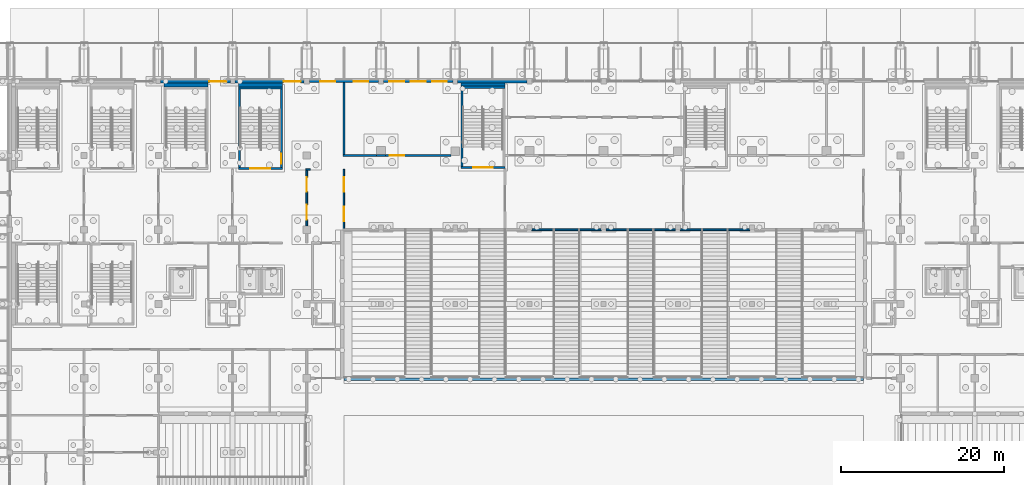
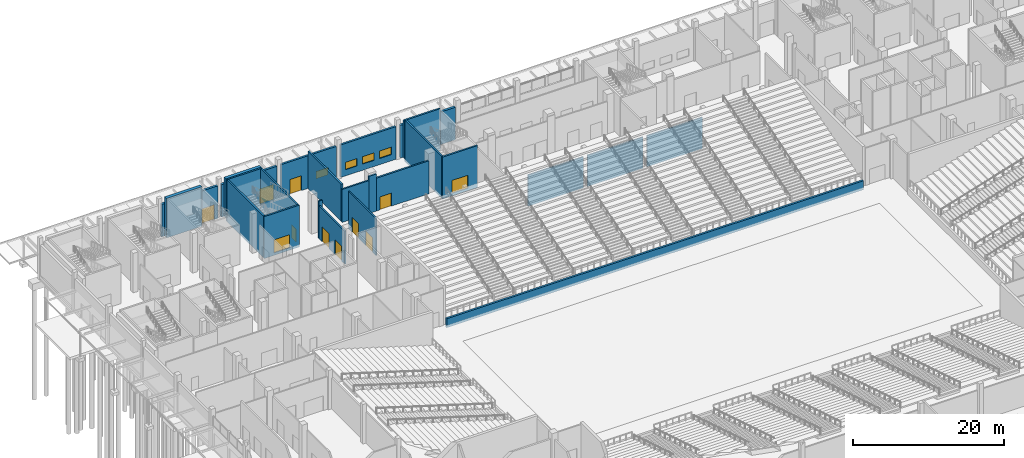
# One storey, part 79 of 129: 26 walls, 11 doors, 4 windows, 15 openings.
"""IFC4 building model written with IfcOpenShell, lengths in metres."""

import ifcopenshell
import ifcopenshell.guid

model = None  # the IFC model being written
_history = None  # IfcOwnerHistory: only IFC2X3 demands one
_inside = {}  # id of a spatial element -> (the spatial element, [elements in it])
_under = {}  # id of a project, library or spatial element -> (it, [spatial elements below it])
_declared = {}  # id of a project -> (the project, [libraries it declares])
_typed = {}  # id of a type object -> (the type object, [elements of that type])
_made_of = {}  # id of a material, layer set ... -> (it, [elements and type objects made of it])


def new_model(schema):
    """Start an empty IFC model of exactly this schema.

    Asked for "IFC4X3", IfcOpenShell would pick the latest addendum, in which some entities
    have other attributes; the version numbers below select the first issue.
    IFC2X3 requires an IfcOwnerHistory on every rooted entity: one is made here for all.
    """
    global model, _history
    if schema == "IFC4X3":
        model = ifcopenshell.file(schema_version=(4, 3, 0, 0))
    else:
        model = ifcopenshell.file(schema=schema)
    _inside.clear()
    _under.clear()
    _declared.clear()
    _typed.clear()
    _made_of.clear()
    _history = None
    if model.schema == "IFC2X3":
        org = make("IfcOrganization", Name="unknown")
        user = make(
            "IfcPersonAndOrganization",
            ThePerson=make("IfcPerson", FamilyName="unknown"),
            TheOrganization=org,
        )
        app = make(
            "IfcApplication",
            ApplicationDeveloper=org,
            Version="unknown",
            ApplicationFullName="unknown",
            ApplicationIdentifier="unknown",
        )
        _history = make(
            "IfcOwnerHistory",
            OwningUser=user,
            OwningApplication=app,
            ChangeAction="ADDED",
            CreationDate=0,
        )
    return model


def make(cls, **values):
    """One entity of the class cls with the attributes given. An attribute that is None is left unset."""
    return model.create_entity(
        cls, **{name: value for name, value in values.items() if value is not None}
    )


def rooted(cls, **values):
    """An entity with a GlobalId (a new one), such as an element, a storey or a relation."""
    return make(cls, GlobalId=ifcopenshell.guid.new(), OwnerHistory=_history, **values)


def si_unit(unit_type, name, prefix=None):
    """IfcSIUnit, for example si_unit("LENGTHUNIT", "METRE", prefix="MILLI")."""
    return make("IfcSIUnit", UnitType=unit_type, Prefix=prefix, Name=name)


def assignment(units):
    """IfcUnitAssignment: the units of a project."""
    return None if units is None else make("IfcUnitAssignment", Units=units)


def point(xyz):
    """IfcCartesianPoint."""
    return None if xyz is None else make("IfcCartesianPoint", Coordinates=xyz)


def direction(xyz):
    """IfcDirection."""
    return None if xyz is None else make("IfcDirection", DirectionRatios=xyz)


def frame(location, z_axis=None, x_axis=None):
    """IfcAxis2Placement3D, a coordinate frame: its origin and axes. An axis left out is left unset."""
    return make(
        "IfcAxis2Placement3D",
        Location=point(location),
        Axis=direction(z_axis),
        RefDirection=direction(x_axis),
    )


def frame_2d(location, x_axis=None):
    """IfcAxis2Placement2D, a coordinate frame in the plane: its origin and x axis."""
    return make(
        "IfcAxis2Placement2D", Location=point(location), RefDirection=direction(x_axis)
    )


def origin():
    """The frame at (0, 0, 0) with its axes left unset."""
    return frame((0.0, 0.0, 0.0))


def place(relative_to, where):
    """IfcLocalPlacement: puts the frame where relative to a parent placement (None: the world)."""
    return make(
        "IfcLocalPlacement", PlacementRelTo=relative_to, RelativePlacement=where
    )


def context(
    kind, dimensions, precision=None, world=None, true_north=None, identifier=None
):
    """IfcGeometricRepresentationContext, for example the 3D "Model" context."""
    return make(
        "IfcGeometricRepresentationContext",
        ContextIdentifier=identifier,
        ContextType=kind,
        CoordinateSpaceDimension=dimensions,
        Precision=precision,
        WorldCoordinateSystem=world,
        TrueNorth=true_north,
    )


def subcontext(parent, identifier, kind, view, scale=None):
    """IfcGeometricRepresentationSubContext, for example "Body" below "Model"."""
    return make(
        "IfcGeometricRepresentationSubContext",
        ContextIdentifier=identifier,
        ContextType=kind,
        ParentContext=parent,
        TargetScale=scale,
        TargetView=view,
    )


def project(units=None, contexts=None):
    """IfcProject with its units and contexts."""
    return rooted(
        "IfcProject",
        Name="project",
        RepresentationContexts=contexts,
        UnitsInContext=assignment(units),
    )


def spatial(cls, under=None, at=None, **own):
    """A site, building, storey or space (cls), placed at a placement, below another one or the project."""
    s = rooted(cls, ObjectPlacement=at, **own)
    if under is not None:
        _under.setdefault(under.id(), (under, []))[1].append(s)
    return s


def profile(cls, at=None, kind="AREA", **sizes):
    """A parametric profile (cls). Its sizes go by their IFC names, for example OverallWidth=200.0."""
    return make(cls, ProfileType=kind, Position=at, **sizes)


def rectangle(**sizes):
    """IfcRectangleProfileDef."""
    return profile("IfcRectangleProfileDef", **sizes)


def extrude(swept, where, along, depth):
    """IfcExtrudedAreaSolid: the profile swept, set in the frame where, extruded along a direction by depth."""
    return make(
        "IfcExtrudedAreaSolid",
        SweptArea=swept,
        Position=where,
        ExtrudedDirection=direction(along),
        Depth=depth,
    )


def shape(context_of_items, identifier, shape_type, items):
    """IfcShapeRepresentation: the items that make up one representation, for example the "Body"."""
    return make(
        "IfcShapeRepresentation",
        ContextOfItems=context_of_items,
        RepresentationIdentifier=identifier,
        RepresentationType=shape_type,
        Items=items,
    )


def material(Name=None, Category=None):
    """IfcMaterial."""
    return make("IfcMaterial", Name=Name, Category=Category)


def layer(
    of_material, thickness, ventilated=None, Name=None, Category=None, Priority=None
):
    """IfcMaterialLayer: one layer of a wall or slab, of a material (None: an air gap)."""
    return make(
        "IfcMaterialLayer",
        Material=of_material,
        LayerThickness=thickness,
        IsVentilated=ventilated,
        Name=Name,
        Category=Category,
        Priority=Priority,
    )


def layer_set(layers, Name=None):
    """IfcMaterialLayerSet."""
    return make("IfcMaterialLayerSet", MaterialLayers=layers, LayerSetName=Name)


def made_of(thing, what):
    """Note that an element or type object is made of a material, layer set ...; save() writes the relation."""
    if what is not None:
        _made_of.setdefault(what.id(), (what, []))[1].append(thing)
    return thing


def type_object(cls, material=None, **own):
    """A type object (cls), such as IfcWallType, which elements share."""
    return made_of(rooted(cls, **own), material)


def element(
    cls,
    number,
    at=None,
    inside=None,
    cuts=None,
    type_object=None,
    material=None,
    context=None,
    identifier="Body",
    shape_type=None,
    held_by="IfcProductDefinitionShape",
    body=None,
    shapes=None,
    **own,
):
    """One element of the class cls, such as IfcWall. Its Tag is "e" and its number.

    at: its placement. inside: the storey or other place that contains it. cuts: it is an
    opening in that element (IfcRelVoidsElement). A single representation is given by context,
    identifier, shape_type and body (its items); several are given by shapes. held_by: the class
    of the entity that holds the representations. save() writes the other relations.
    """
    e = rooted(cls, Tag="e%d" % number, ObjectPlacement=at, **own)
    if body is not None:
        shapes = [shape(context, identifier, shape_type, body)]
    if shapes is not None:
        e.Representation = make(held_by, Representations=shapes)
    if inside is not None:
        _inside.setdefault(inside.id(), (inside, []))[1].append(e)
    if cuts is not None:
        rooted(
            "IfcRelVoidsElement", RelatingBuildingElement=cuts, RelatedOpeningElement=e
        )
    if type_object is not None:
        _typed.setdefault(type_object.id(), (type_object, []))[1].append(e)
    return made_of(e, material)


def fill(opening, filler):
    """IfcRelFillsElement: the door or window that sits in an opening."""
    return rooted(
        "IfcRelFillsElement",
        RelatingOpeningElement=opening,
        RelatedBuildingElement=filler,
    )


def aggregate(whole, parts):
    """IfcRelAggregates: a whole, such as a stair, and the parts it consists of."""
    return rooted("IfcRelAggregates", RelatingObject=whole, RelatedObjects=parts)


def save(model, path):
    """Write the relations noted so far, then the file.

    IfcRelAggregates (storeys below a building ...), IfcRelContainedInSpatialStructure (elements
    in a storey), IfcRelDefinesByType, IfcRelAssociatesMaterial and IfcRelDeclares: one each for
    every whole, place, type object, material and project.
    """
    for whole, parts in _under.values():
        aggregate(whole, parts)
    for where, things in _inside.values():
        rooted(
            "IfcRelContainedInSpatialStructure",
            RelatedElements=things,
            RelatingStructure=where,
        )
    for kind, things in _typed.values():
        rooted("IfcRelDefinesByType", RelatedObjects=things, RelatingType=kind)
    for what, things in _made_of.values():
        rooted("IfcRelAssociatesMaterial", RelatedObjects=things, RelatingMaterial=what)
    for by, libraries in _declared.values():
        rooted("IfcRelDeclares", RelatingContext=by, RelatedDefinitions=libraries)
    model.write(path)


model = new_model("IFC4")

# Units and contexts
model_context = context("Model", 3, precision=1e-05, world=origin(), true_north=direction((0.0, 1.0)))
body_context = subcontext(model_context, "Body", "Model", "MODEL_VIEW")
ifc_project = project(units=[si_unit("LENGTHUNIT", "METRE"), si_unit("AREAUNIT", "SQUARE_METRE"), si_unit("VOLUMEUNIT", "CUBIC_METRE"), si_unit("PLANEANGLEUNIT", "RADIAN"), si_unit("MASSUNIT", "GRAM", prefix="KILO")], contexts=[model_context])

# Site, building, storey
site_placement = place(None, origin())
site = spatial("IfcSite", under=ifc_project, at=site_placement, CompositionType="ELEMENT")
building_placement = place(site_placement, origin())
building = spatial("IfcBuilding", under=site, at=building_placement, Name="Shirokan Park Arena", CompositionType="ELEMENT")
storey_placement = place(building_placement, origin())
storey = spatial("IfcBuildingStorey", under=building, at=storey_placement, Name="L00", CompositionType="ELEMENT", Elevation=0.0)

# Wall, openings, windows
ifc_material_1 = material(Name="Board-formed concrete C40/50", Category="concrete")
ifc_layer_1 = layer(ifc_material_1, 0.1201171875, Name="Board-formed concrete C40/50")
ifc_material_2 = material(Name="Mineral wool insulation")
ifc_layer_2 = layer(ifc_material_2, 0.10009765625, Name="Mineral wool insulation")
ifc_material_3 = material(Name="Concrete C35", Category="concrete")
ifc_layer_3 = layer(ifc_material_3, 0.080078125, Name="Concrete C35")
ifc_layer_set_1 = layer_set([ifc_layer_1, ifc_layer_2, ifc_layer_3], Name="Board-formed concrete C40/50 + Mineral wool insulation + Concrete C35")
wall_type_1 = type_object("IfcWallType", Name="Board-formed concrete base wall 300", PredefinedType="SOLIDWALL", material=ifc_layer_set_1)
wall_1_placement = place(storey_placement, frame((54.300048828125, 109.199951171875, 0.0), z_axis=(0.0, 0.0, 1.0), x_axis=(-1.0, 0.0, 0.0)))
wall_1 = element("IfcWall", 1, at=wall_1_placement, inside=storey, type_object=wall_type_1, Name="North facade wall bay 11 L00", PredefinedType="SOLIDWALL", context=body_context, shape_type="SweptSolid", body=[
    extrude(rectangle(XDim=8.47509765625, YDim=0.300048828125, at=frame_2d((4.237548828125, 0.0))), origin(), (0.0, 0.0, 1.0), 5.27001953125),
])
opening_1_placement = place(wall_1_placement, frame((0.71240234375, 0.0, 1.0)))
opening_1 = element("IfcOpeningElement", 2, at=opening_1_placement, cuts=wall_1, Name="Opening W4", PredefinedType="OPENING", context=body_context, shape_type="SweptSolid", body=[
    extrude(rectangle(XDim=1.800048828125, YDim=1.199951171875, at=frame_2d((0.89990234375, 0.60009765625))), frame((0.0, 0.159912109375, 0.0), z_axis=(0.0, -1.0, 0.0), x_axis=(1.0, 0.0, 0.0)), (0.0, 0.0, 1.0), 0.320068359375),
])
opening_2_placement = place(wall_1_placement, frame((3.33740234375, 0.0, 1.0)))
opening_2 = element("IfcOpeningElement", 3, at=opening_2_placement, cuts=wall_1, Name="Opening W4", PredefinedType="OPENING", context=body_context, shape_type="SweptSolid", body=[
    extrude(rectangle(XDim=1.800048828125, YDim=1.199951171875, at=frame_2d((0.89990234375, 0.60009765625))), frame((0.0, 0.159912109375, 0.0), z_axis=(0.0, -1.0, 0.0), x_axis=(1.0, 0.0, 0.0)), (0.0, 0.0, 1.0), 0.320068359375),
])
opening_3_placement = place(wall_1_placement, frame((5.96240234375, 0.0, 1.0)))
opening_3 = element("IfcOpeningElement", 4, at=opening_3_placement, cuts=wall_1, Name="Opening W4", PredefinedType="OPENING", context=body_context, shape_type="SweptSolid", body=[
    extrude(rectangle(XDim=1.800048828125, YDim=1.199951171875, at=frame_2d((0.89990234375, 0.60009765625))), frame((0.0, 0.159912109375, 0.0), z_axis=(0.0, -1.0, 0.0), x_axis=(1.0, 0.0, 0.0)), (0.0, 0.0, 1.0), 0.320068359375),
])
ifc_material_4 = material(Name="Aluminium frame with laminated glass", Category="aluminium")
window_type = type_object("IfcWindowType", Name="Entrance zone window 1800x1200", PartitioningType="DOUBLE_PANEL_VERTICAL", PredefinedType="WINDOW", material=ifc_material_4)
window_1_placement = place(opening_1_placement, origin())
window_1 = element("IfcWindow", 5, at=window_1_placement, inside=storey, type_object=window_type, Name="Entrance zone window 1800x1200 north bay 11 L00", OverallHeight=1.199951171875, OverallWidth=1.800048828125, PartitioningType="SINGLE_PANEL", PredefinedType="WINDOW", context=body_context, shape_type="SweptSolid", body=[
    extrude(rectangle(XDim=1.800048828125, YDim=1.199951171875, at=frame_2d((0.89990234375, 0.60009765625))), frame((0.0, 0.030029296875, 0.0), z_axis=(0.0, -1.0, 0.0), x_axis=(1.0, 0.0, 0.0)), (0.0, 0.0, 1.0), 0.06005859375),
])
fill(opening_1, window_1)
window_2_placement = place(opening_2_placement, origin())
window_2 = element("IfcWindow", 6, at=window_2_placement, inside=storey, type_object=window_type, Name="Entrance zone window 1800x1200 north bay 11 L00", OverallHeight=1.199951171875, OverallWidth=1.800048828125, PartitioningType="SINGLE_PANEL", PredefinedType="WINDOW", context=body_context, shape_type="SweptSolid", body=[
    extrude(rectangle(XDim=1.800048828125, YDim=1.199951171875, at=frame_2d((0.89990234375, 0.60009765625))), frame((0.0, 0.030029296875, 0.0), z_axis=(0.0, -1.0, 0.0), x_axis=(1.0, 0.0, 0.0)), (0.0, 0.0, 1.0), 0.06005859375),
])
fill(opening_2, window_2)
window_3_placement = place(opening_3_placement, origin())
window_3 = element("IfcWindow", 7, at=window_3_placement, inside=storey, type_object=window_type, Name="Entrance zone window 1800x1200 north bay 11 L00", OverallHeight=1.199951171875, OverallWidth=1.800048828125, PartitioningType="SINGLE_PANEL", PredefinedType="WINDOW", context=body_context, shape_type="SweptSolid", body=[
    extrude(rectangle(XDim=1.800048828125, YDim=1.199951171875, at=frame_2d((0.89990234375, 0.60009765625))), frame((0.0, 0.030029296875, 0.0), z_axis=(0.0, -1.0, 0.0), x_axis=(1.0, 0.0, 0.0)), (0.0, 0.0, 1.0), 0.06005859375),
])
fill(opening_3, window_3)

# Wall, openings, window, door
wall_2_placement = place(storey_placement, frame((45.175048828125, 109.199951171875, 0.0), z_axis=(0.0, 0.0, 1.0), x_axis=(-1.0, 0.0, 0.0)))
wall_2 = element("IfcWall", 8, at=wall_2_placement, inside=storey, type_object=wall_type_1, Name="North facade wall bay 12 L00", PredefinedType="SOLIDWALL", context=body_context, shape_type="SweptSolid", body=[
    extrude(rectangle(XDim=8.425048828125, YDim=0.300048828125, at=frame_2d((4.21240234375, 0.0))), origin(), (0.0, 0.0, 1.0), 5.27001953125),
])
opening_4_placement = place(wall_2_placement, frame((5.300048828125, 0.0, 0.0)))
opening_4 = element("IfcOpeningElement", 9, at=opening_4_placement, cuts=wall_2, Name="Opening G17", PredefinedType="OPENING", context=body_context, shape_type="SweptSolid", body=[
    extrude(rectangle(XDim=1.800048828125, YDim=2.39990234375, at=frame_2d((0.89990234375, 1.199951171875))), frame((0.0, 0.159912109375, 0.0), z_axis=(0.0, -1.0, 0.0), x_axis=(1.0, 0.0, 0.0)), (0.0, 0.0, 1.0), 0.320068359375),
])
opening_5_placement = place(wall_2_placement, frame((1.21240234375, 0.0, 1.0)))
opening_5 = element("IfcOpeningElement", 10, at=opening_5_placement, cuts=wall_2, Name="Opening W4", PredefinedType="OPENING", context=body_context, shape_type="SweptSolid", body=[
    extrude(rectangle(XDim=1.800048828125, YDim=1.199951171875, at=frame_2d((0.89990234375, 0.60009765625))), frame((0.0, 0.159912109375, 0.0), z_axis=(0.0, -1.0, 0.0), x_axis=(1.0, 0.0, 0.0)), (0.0, 0.0, 1.0), 0.320068359375),
])
window_4_placement = place(opening_5_placement, origin())
window_4 = element("IfcWindow", 11, at=window_4_placement, inside=storey, type_object=window_type, Name="Entrance zone window 1800x1200 north bay 12 L00", OverallHeight=1.199951171875, OverallWidth=1.800048828125, PartitioningType="SINGLE_PANEL", PredefinedType="WINDOW", context=body_context, shape_type="SweptSolid", body=[
    extrude(rectangle(XDim=1.800048828125, YDim=1.199951171875, at=frame_2d((0.89990234375, 0.60009765625))), frame((0.0, 0.030029296875, 0.0), z_axis=(0.0, -1.0, 0.0), x_axis=(1.0, 0.0, 0.0)), (0.0, 0.0, 1.0), 0.06005859375),
])
fill(opening_5, window_4)
ifc_material_5 = material(Name="Steel and glass door", Category="steel")
door_type_1 = type_object("IfcDoorType", Name="Exit door pair 1800x2400", OperationType="DOUBLE_DOOR_SINGLE_SWING", PredefinedType="DOOR", material=ifc_material_5)
door_1_placement = place(opening_4_placement, frame((1.800048828125, 0.0, 0.0), z_axis=(0.0, 0.0, 1.0), x_axis=(-1.0, 0.0, 0.0)))
door_1 = element("IfcDoor", 12, at=door_1_placement, inside=storey, type_object=door_type_1, Name="Pedestrian exit gate G17", OperationType="DOUBLE_DOOR_SINGLE_SWING", OverallHeight=2.39990234375, OverallWidth=1.800048828125, PredefinedType="DOOR", context=body_context, shape_type="SweptSolid", body=[
    extrude(rectangle(XDim=1.800048828125, YDim=2.39990234375, at=frame_2d((0.89990234375, 1.199951171875))), frame((0.0, 0.02490234375, 0.0), z_axis=(0.0, -1.0, 0.0), x_axis=(1.0, 0.0, 0.0)), (0.0, 0.0, 1.0), 0.050048828125),
])
fill(opening_4, door_1)

# Walls
ifc_material_6 = material(Name="Plaster")
ifc_layer_4 = layer(ifc_material_6, 0.014892578125, Name="Plaster")
ifc_material_7 = material(Name="Concrete blockwork", Category="masonry")
ifc_layer_5 = layer(ifc_material_7, 0.219970703125, Name="Concrete blockwork 220")
ifc_layer_6 = layer(ifc_material_6, 0.014892578125, Name="Plaster")
ifc_layer_set_2 = layer_set([ifc_layer_4, ifc_layer_5, ifc_layer_6], Name="Plaster + Concrete blockwork 220")
wall_type_2 = type_object("IfcWallType", Name="Compartment wall 250", PredefinedType="SOLIDWALL", material=ifc_layer_set_2)
wall_3_placement = place(storey_placement, frame((40.824951171875, 100.10009765625, 0.0), z_axis=(0.0, 0.0, 1.0), x_axis=(1.0, 0.0, 0.0)))
element("IfcWall", 13, at=wall_3_placement, inside=storey, type_object=wall_type_2, Name="Compartment wall 250 L00", PredefinedType="SOLIDWALL", context=body_context, shape_type="SweptSolid", body=[
    extrude(rectangle(XDim=4.125, YDim=0.25, at=frame_2d((2.0625, 0.0))), origin(), (0.0, 0.0, 1.0), 5.320068359375),
])
wall_4_placement = place(storey_placement, frame((40.949951171875, 109.050048828125, 0.0), z_axis=(0.0, 0.0, 1.0), x_axis=(0.0, -1.0, 0.0)))
element("IfcWall", 14, at=wall_4_placement, inside=storey, type_object=wall_type_2, Name="Compartment wall 250 L00", PredefinedType="SOLIDWALL", context=body_context, shape_type="SweptSolid", body=[
    extrude(rectangle(XDim=8.824951171875, YDim=0.25, at=frame_2d((4.41259765625, 0.0))), origin(), (0.0, 0.0, 1.0), 6.02001953125),
])
wall_5_placement = place(storey_placement, frame((44.949951171875, 100.10009765625, 0.0), z_axis=(0.0, 0.0, 1.0), x_axis=(1.0, 0.0, 0.0)))
element("IfcWall", 15, at=wall_5_placement, inside=storey, type_object=wall_type_2, Name="Compartment wall 250 L00", PredefinedType="SOLIDWALL", context=body_context, shape_type="SweptSolid", body=[
    extrude(rectangle(XDim=1.10009765625, YDim=0.25, at=frame_2d((0.550048828125, 0.0))), origin(), (0.0, 0.0, 1.0), 6.02001953125),
])

# Wall, opening, door
wall_6_placement = place(storey_placement, frame((46.050048828125, 100.10009765625, 0.0), z_axis=(0.0, 0.0, 1.0), x_axis=(1.0, 0.0, 0.0)))
wall_6 = element("IfcWall", 16, at=wall_6_placement, inside=storey, type_object=wall_type_2, Name="Compartment wall 250 L00", PredefinedType="SOLIDWALL", context=body_context, shape_type="SweptSolid", body=[
    extrude(rectangle(XDim=8.02490234375, YDim=0.25, at=frame_2d((4.012451171875, 0.0))), origin(), (0.0, 0.0, 1.0), 5.320068359375),
])
opening_6_placement = place(wall_6_placement, frame((0.52490234375, 0.0, 0.0)))
opening_6 = element("IfcOpeningElement", 17, at=opening_6_placement, cuts=wall_6, Name="Opening D-0029", PredefinedType="OPENING", context=body_context, shape_type="SweptSolid", body=[
    extrude(rectangle(XDim=1.800048828125, YDim=2.10009765625, at=frame_2d((0.89990234375, 1.050048828125))), frame((0.0, 0.135009765625, 0.0), z_axis=(0.0, -1.0, 0.0), x_axis=(1.0, 0.0, 0.0)), (0.0, 0.0, 1.0), 0.27001953125),
])
ifc_material_8 = material(Name="Timber door set, fire resisting", Category="wood")
door_type_2 = type_object("IfcDoorType", Name="Double door 1800 x 2100", OperationType="DOUBLE_DOOR_SINGLE_SWING", PredefinedType="DOOR", material=ifc_material_8)
door_2_placement = place(opening_6_placement, origin())
door_2 = element("IfcDoor", 18, at=door_2_placement, inside=storey, type_object=door_type_2, Name="Door to Fire Command Room 0.31 D-0029", OperationType="DOUBLE_DOOR_SINGLE_SWING", OverallHeight=2.10009765625, OverallWidth=1.800048828125, PredefinedType="DOOR", context=body_context, shape_type="SweptSolid", body=[
    extrude(rectangle(XDim=1.800048828125, YDim=2.10009765625, at=frame_2d((0.89990234375, 1.050048828125))), frame((0.0, 0.02490234375, 0.0), z_axis=(0.0, -1.0, 0.0), x_axis=(1.0, 0.0, 0.0)), (0.0, 0.0, 1.0), 0.050048828125),
])
fill(opening_6, door_2)

# Wall, openings, doors
ifc_material_9 = material(Name="Gypsum board")
ifc_layer_7 = layer(ifc_material_9, 0.02490234375, Name="Gypsum board, two layers")
ifc_layer_8 = layer(ifc_material_2, 0.14990234375, Name="Mineral wool insulation")
ifc_layer_9 = layer(ifc_material_9, 0.02490234375, Name="Gypsum board, two layers")
ifc_layer_set_3 = layer_set([ifc_layer_7, ifc_layer_8, ifc_layer_9], Name="Gypsum board, two layers + Mineral wool insulation")
wall_type_3 = type_object("IfcWallType", Name="Corridor wall 200", PredefinedType="PARTITIONING", material=ifc_layer_set_3)
wall_7_placement = place(storey_placement, frame((36.39990234375, 98.300048828125, 0.0), z_axis=(0.0, 0.0, 1.0), x_axis=(0.0, -1.0, 0.0)))
wall_7 = element("IfcWall", 19, at=wall_7_placement, inside=storey, type_object=wall_type_3, Name="Corridor wall 200 L00", PredefinedType="PARTITIONING", context=body_context, shape_type="SweptSolid", body=[
    extrude(rectangle(XDim=6.824951171875, YDim=0.199951171875, at=frame_2d((3.41259765625, 0.0))), origin(), (0.0, 0.0, 1.0), 5.320068359375),
])
opening_7_placement = place(wall_7_placement, frame((0.85009765625, 0.0, 0.0)))
opening_7 = element("IfcOpeningElement", 20, at=opening_7_placement, cuts=wall_7, Name="Opening D-0098", PredefinedType="OPENING", context=body_context, shape_type="SweptSolid", body=[
    extrude(rectangle(XDim=1.800048828125, YDim=2.39990234375, at=frame_2d((0.89990234375, 1.199951171875))), frame((0.0, 0.10986328125, 0.0), z_axis=(0.0, -1.0, 0.0), x_axis=(1.0, 0.0, 0.0)), (0.0, 0.0, 1.0), 0.219970703125),
])
opening_8_placement = place(wall_7_placement, frame((4.25, 0.0, 0.0)))
opening_8 = element("IfcOpeningElement", 21, at=opening_8_placement, cuts=wall_7, Name="Opening D-0099", PredefinedType="OPENING", context=body_context, shape_type="SweptSolid", body=[
    extrude(rectangle(XDim=1.800048828125, YDim=2.39990234375, at=frame_2d((0.89990234375, 1.199951171875))), frame((0.0, 0.10986328125, 0.0), z_axis=(0.0, -1.0, 0.0), x_axis=(1.0, 0.0, 0.0)), (0.0, 0.0, 1.0), 0.219970703125),
])
ifc_material_10 = material(Name="Glazed steel door set, fire resisting", Category="steel")
door_type_3 = type_object("IfcDoorType", Name="Lift lobby door 1800 x 2400", OperationType="DOUBLE_DOOR_SINGLE_SWING", PredefinedType="DOOR", material=ifc_material_10)
door_3_placement = place(opening_7_placement, origin())
door_3 = element("IfcDoor", 22, at=door_3_placement, inside=storey, type_object=door_type_3, Name="Door between Players Lounge 4.0.4 and Staff Lobby 4.0.5 D-0098", OperationType="DOUBLE_DOOR_SINGLE_SWING", OverallHeight=2.39990234375, OverallWidth=1.800048828125, PredefinedType="DOOR", context=body_context, shape_type="SweptSolid", body=[
    extrude(rectangle(XDim=1.800048828125, YDim=2.39990234375, at=frame_2d((0.89990234375, 1.199951171875))), frame((0.0, 0.02490234375, 0.0), z_axis=(0.0, -1.0, 0.0), x_axis=(1.0, 0.0, 0.0)), (0.0, 0.0, 1.0), 0.050048828125),
])
fill(opening_7, door_3)
door_4_placement = place(opening_8_placement, origin())
door_4 = element("IfcDoor", 23, at=door_4_placement, inside=storey, type_object=door_type_3, Name="Door between Players Lounge 4.0.4 and Staff Lobby 4.0.5 D-0099", OperationType="DOUBLE_DOOR_SINGLE_SWING", OverallHeight=2.39990234375, OverallWidth=1.800048828125, PredefinedType="DOOR", context=body_context, shape_type="SweptSolid", body=[
    extrude(rectangle(XDim=1.800048828125, YDim=2.39990234375, at=frame_2d((0.89990234375, 1.199951171875))), frame((0.0, 0.02490234375, 0.0), z_axis=(0.0, -1.0, 0.0), x_axis=(1.0, 0.0, 0.0)), (0.0, 0.0, 1.0), 0.050048828125),
])
fill(opening_8, door_4)

# Wall
wall_8_placement = place(storey_placement, frame((36.85009765625, 98.39990234375, 0.0), z_axis=(0.0, 0.0, 1.0), x_axis=(-1.0, 0.0, 0.0)))
element("IfcWall", 24, at=wall_8_placement, inside=storey, type_object=wall_type_3, Name="Corridor wall 200 L00", PredefinedType="PARTITIONING", context=body_context, shape_type="SweptSolid", body=[
    extrude(rectangle(XDim=0.550048828125, YDim=0.199951171875, at=frame_2d((0.27490234375, 0.0))), origin(), (0.0, 0.0, 1.0), 6.02001953125),
])

# Wall, openings, doors
wall_9_placement = place(storey_placement, frame((40.949951171875, 98.39990234375, 0.0), z_axis=(0.0, 0.0, 1.0), x_axis=(0.0, -1.0, 0.0)))
wall_9 = element("IfcWall", 25, at=wall_9_placement, inside=storey, type_object=wall_type_3, Name="Corridor wall 200 L00", PredefinedType="PARTITIONING", context=body_context, shape_type="SweptSolid", body=[
    extrude(rectangle(XDim=7.2998046875, YDim=0.199951171875, at=frame_2d((3.64990234375, 0.0))), origin(), (0.0, 0.0, 1.0), 6.02001953125),
])
opening_9_placement = place(wall_9_placement, frame((0.949951171875, 0.0, 0.0)))
opening_9 = element("IfcOpeningElement", 26, at=opening_9_placement, cuts=wall_9, Name="Opening D-0101", PredefinedType="OPENING", context=body_context, shape_type="SweptSolid", body=[
    extrude(rectangle(XDim=1.800048828125, YDim=2.39990234375, at=frame_2d((0.89990234375, 1.199951171875))), frame((0.0, 0.10986328125, 0.0), z_axis=(0.0, -1.0, 0.0), x_axis=(1.0, 0.0, 0.0)), (0.0, 0.0, 1.0), 0.219970703125),
])
opening_10_placement = place(wall_9_placement, frame((4.550048828125, 0.0, 0.0)))
opening_10 = element("IfcOpeningElement", 27, at=opening_10_placement, cuts=wall_9, Name="Opening D-0102", PredefinedType="OPENING", context=body_context, shape_type="SweptSolid", body=[
    extrude(rectangle(XDim=1.800048828125, YDim=2.39990234375, at=frame_2d((0.89990234375, 1.199951171875))), frame((0.0, 0.10986328125, 0.0), z_axis=(0.0, -1.0, 0.0), x_axis=(1.0, 0.0, 0.0)), (0.0, 0.0, 1.0), 0.219970703125),
])
door_5_placement = place(opening_9_placement, origin())
door_5 = element("IfcDoor", 28, at=door_5_placement, inside=storey, type_object=door_type_3, Name="Door between Staff Lobby 4.0.5 and Ticket Hall E4 D-0101", OperationType="DOUBLE_DOOR_SINGLE_SWING", OverallHeight=2.39990234375, OverallWidth=1.800048828125, PredefinedType="DOOR", context=body_context, shape_type="SweptSolid", body=[
    extrude(rectangle(XDim=1.800048828125, YDim=2.39990234375, at=frame_2d((0.89990234375, 1.199951171875))), frame((0.0, 0.02490234375, 0.0), z_axis=(0.0, -1.0, 0.0), x_axis=(1.0, 0.0, 0.0)), (0.0, 0.0, 1.0), 0.050048828125),
])
fill(opening_9, door_5)
door_6_placement = place(opening_10_placement, origin())
door_6 = element("IfcDoor", 29, at=door_6_placement, inside=storey, type_object=door_type_3, Name="Door between Staff Lobby 4.0.5 and Ticket Hall E4 D-0102", OperationType="DOUBLE_DOOR_SINGLE_SWING", OverallHeight=2.39990234375, OverallWidth=1.800048828125, PredefinedType="DOOR", context=body_context, shape_type="SweptSolid", body=[
    extrude(rectangle(XDim=1.800048828125, YDim=2.39990234375, at=frame_2d((0.89990234375, 1.199951171875))), frame((0.0, 0.02490234375, 0.0), z_axis=(0.0, -1.0, 0.0), x_axis=(1.0, 0.0, 0.0)), (0.0, 0.0, 1.0), 0.050048828125),
])
fill(opening_10, door_6)

# Walls
for number, where, z_axis, x_axis, name in (
    (30, (72.5, 91.0, 0.0), (0.0, 0.0, 1.0), (-1.0, 0.0, 0.0), "Corridor wall 200 L00"),
    (31, (81.60009765625, 91.0, 0.0), (0.0, 0.0, 1.0), (-1.0, 0.0, 0.0), "Corridor wall 200 L00"),
    (32, (82.199951171875, 91.0, 0.0), (0.0, 0.0, 1.0), (1.0, 0.0, 0.0), "Corridor wall 200 L00"),
):
    element("IfcWall", number, at=place(storey_placement, frame(where, z_axis=z_axis, x_axis=x_axis)), inside=storey, type_object=wall_type_3, Name=name, PredefinedType="PARTITIONING", context=body_context, shape_type="SweptSolid", body=[
        extrude(rectangle(XDim=8.5, YDim=0.199951171875, at=frame_2d((4.25, 0.0))), origin(), (0.0, 0.0, 1.0), 5.02001953125),
    ])
ifc_material_11 = material(Name="Cedar cladding")
ifc_layer_10 = layer(ifc_material_11, 0.030029296875, Name="Cedar cladding")
ifc_layer_11 = layer(ifc_material_2, 0.10009765625, Name="Mineral wool insulation")
ifc_layer_12 = layer(ifc_material_3, 0.199951171875, Name="Concrete C35")
ifc_material_12 = material(Name="Gypsum board lining")
ifc_layer_13 = layer(ifc_material_12, 0.02001953125, Name="Gypsum board lining")
ifc_layer_set_4 = layer_set([ifc_layer_10, ifc_layer_11, ifc_layer_12, ifc_layer_13], Name="Cedar cladding + Mineral wool insulation + Concrete C35 + Gypsum board lining")
wall_type_4 = type_object("IfcWallType", Name="Insulated tower wall 350", PredefinedType="SOLIDWALL", material=ifc_layer_set_4)
wall_10_placement = place(storey_placement, frame((63.375, 109.175048828125, 0.0), z_axis=(0.0, 0.0, 1.0), x_axis=(-1.0, 0.0, 0.0)))
element("IfcWall", 33, at=wall_10_placement, inside=storey, type_object=wall_type_4, Name="North facade wall bay 10 L00", PredefinedType="SOLIDWALL", context=body_context, shape_type="SweptSolid", body=[
    extrude(rectangle(XDim=8.47509765625, YDim=0.35009765625, at=frame_2d((4.237548828125, 0.0))), origin(), (0.0, 0.0, 1.0), 5.27001953125),
])

# Wall, opening, door
wall_11_placement = place(storey_placement, frame((36.050048828125, 109.175048828125, 0.0), z_axis=(0.0, 0.0, 1.0), x_axis=(-1.0, 0.0, 0.0)))
wall_11 = element("IfcWall", 34, at=wall_11_placement, inside=storey, type_object=wall_type_4, Name="North facade wall bay 13 L00", PredefinedType="SOLIDWALL", context=body_context, shape_type="SweptSolid", body=[
    extrude(rectangle(XDim=8.47509765625, YDim=0.35009765625, at=frame_2d((4.237548828125, 0.0))), origin(), (0.0, 0.0, 1.0), 5.27001953125),
])
opening_11_placement = place(wall_11_placement, frame((0.39990234375, 0.0, 0.0)))
opening_11 = element("IfcOpeningElement", 35, at=opening_11_placement, cuts=wall_11, Name="Opening G16", PredefinedType="OPENING", context=body_context, shape_type="SweptSolid", body=[
    extrude(rectangle(XDim=2.10009765625, YDim=2.39990234375, at=frame_2d((1.050048828125, 1.199951171875))), frame((0.0, 0.18505859375, 0.0), z_axis=(0.0, -1.0, 0.0), x_axis=(1.0, 0.0, 0.0)), (0.0, 0.0, 1.0), 0.3701171875),
])
door_type_4 = type_object("IfcDoorType", Name="Exit door pair 2100x2400", OperationType="DOUBLE_DOOR_SINGLE_SWING", PredefinedType="DOOR", material=ifc_material_5)
door_7_placement = place(opening_11_placement, frame((2.10009765625, 0.0, 0.0), z_axis=(0.0, 0.0, 1.0), x_axis=(-1.0, 0.0, 0.0)))
door_7 = element("IfcDoor", 36, at=door_7_placement, inside=storey, type_object=door_type_4, Name="Pedestrian exit gate G16", OperationType="DOUBLE_DOOR_SINGLE_SWING", OverallHeight=2.39990234375, OverallWidth=2.10009765625, PredefinedType="DOOR", context=body_context, shape_type="SweptSolid", body=[
    extrude(rectangle(XDim=2.10009765625, YDim=2.39990234375, at=frame_2d((1.050048828125, 1.199951171875))), frame((0.0, 0.02490234375, 0.0), z_axis=(0.0, -1.0, 0.0), x_axis=(1.0, 0.0, 0.0)), (0.0, 0.0, 1.0), 0.050048828125),
])
fill(opening_11, door_7)

wall_12_placement = place(storey_placement, frame((27.02490234375, 109.175048828125, 0.0), z_axis=(0.0, 0.0, 1.0), x_axis=(-1.0, 0.0, 0.0)))
wall_12 = element("IfcWall", 37, at=wall_12_placement, inside=storey, type_object=wall_type_4, Name="North facade wall bay 14 L00", PredefinedType="SOLIDWALL", context=body_context, shape_type="SweptSolid", body=[
    extrude(rectangle(XDim=8.5498046875, YDim=0.35009765625, at=frame_2d((4.27490234375, 0.0))), origin(), (0.0, 0.0, 1.0), 5.27001953125),
])
opening_12_placement = place(wall_12_placement, frame((0.47509765625, 0.0, 0.0)))
opening_12 = element("IfcOpeningElement", 38, at=opening_12_placement, cuts=wall_12, Name="Opening G15", PredefinedType="OPENING", context=body_context, shape_type="SweptSolid", body=[
    extrude(rectangle(XDim=2.10009765625, YDim=2.39990234375, at=frame_2d((1.050048828125, 1.199951171875))), frame((0.0, 0.18505859375, 0.0), z_axis=(0.0, -1.0, 0.0), x_axis=(1.0, 0.0, 0.0)), (0.0, 0.0, 1.0), 0.3701171875),
])
door_8_placement = place(opening_12_placement, frame((2.10009765625, 0.0, 0.0), z_axis=(0.0, 0.0, 1.0), x_axis=(-1.0, 0.0, 0.0)))
door_8 = element("IfcDoor", 39, at=door_8_placement, inside=storey, type_object=door_type_4, Name="Pedestrian exit gate G15", OperationType="DOUBLE_DOOR_SINGLE_SWING", OverallHeight=2.39990234375, OverallWidth=2.10009765625, PredefinedType="DOOR", context=body_context, shape_type="SweptSolid", body=[
    extrude(rectangle(XDim=2.10009765625, YDim=2.39990234375, at=frame_2d((1.050048828125, 1.199951171875))), frame((0.0, 0.02490234375, 0.0), z_axis=(0.0, -1.0, 0.0), x_axis=(1.0, 0.0, 0.0)), (0.0, 0.0, 1.0), 0.050048828125),
])
fill(opening_12, door_8)

# Wall
ifc_layer_14 = layer(ifc_material_3, 0.300048828125)
ifc_layer_set_5 = layer_set([ifc_layer_14], Name="Concrete C35 300 mm")
wall_type_5 = type_object("IfcWallType", Name="RC front wall 300", PredefinedType="SOLIDWALL", material=ifc_layer_set_5)
wall_13_placement = place(storey_placement, frame((40.949951171875, 72.64990234375, -0.39990234375), z_axis=(0.0, 0.0, 1.0), x_axis=(1.0, 0.0, 0.0)))
element("IfcWall", 40, at=wall_13_placement, inside=storey, type_object=wall_type_5, Name="Front wall N", PredefinedType="SOLIDWALL", context=body_context, shape_type="SweptSolid", body=[
    extrude(rectangle(XDim=63.699951171875, YDim=0.300048828125, at=frame_2d((31.85009765625, 0.0))), origin(), (0.0, 0.0, 1.0), 1.449951171875),
])

# Wall, opening, door
ifc_material_13 = material(Name="Concrete C40/50", Category="concrete")
ifc_layer_15 = layer(ifc_material_13, 0.25)
ifc_layer_set_6 = layer_set([ifc_layer_15], Name="Concrete C40/50 250 mm")
wall_type_6 = type_object("IfcWallType", Name="RC shear wall 250", PredefinedType="SHEAR", material=ifc_layer_set_6)
wall_14_placement = place(storey_placement, frame((33.39990234375, 98.52490234375, -0.39990234375), z_axis=(0.0, 0.0, 1.0), x_axis=(-1.0, 0.0, 0.0)))
wall_14 = element("IfcWall", 41, at=wall_14_placement, inside=storey, type_object=wall_type_6, Name="Shaft wall Exit Stair 4.D S L00", PredefinedType="SHEAR", context=body_context, shape_type="SweptSolid", body=[
    extrude(rectangle(XDim=5.39990234375, YDim=0.25, at=frame_2d((2.699951171875, 0.0))), origin(), (0.0, 0.0, 1.0), 6.77001953125),
])
opening_13_placement = place(wall_14_placement, frame((1.5, 0.0, 0.39990234375)))
opening_13 = element("IfcOpeningElement", 42, at=opening_13_placement, cuts=wall_14, Name="Opening D-0185", PredefinedType="OPENING", context=body_context, shape_type="SweptSolid", body=[
    extrude(rectangle(XDim=2.39990234375, YDim=2.10009765625, at=frame_2d((1.199951171875, 1.050048828125))), frame((0.0, 0.135009765625, 0.0), z_axis=(0.0, -1.0, 0.0), x_axis=(1.0, 0.0, 0.0)), (0.0, 0.0, 1.0), 0.27001953125),
])
ifc_material_14 = material(Name="Steel door set, fire resisting", Category="steel")
door_type_5 = type_object("IfcDoorType", Name="Stair door 2400 x 2100", OperationType="DOUBLE_DOOR_SINGLE_SWING", PredefinedType="DOOR", material=ifc_material_14)
door_9_placement = place(opening_13_placement, origin())
door_9 = element("IfcDoor", 43, at=door_9_placement, inside=storey, type_object=door_type_5, Name="Stair door Exit Stair 4.D D-0185", OperationType="DOUBLE_DOOR_SINGLE_SWING", OverallHeight=2.10009765625, OverallWidth=2.39990234375, PredefinedType="DOOR", context=body_context, shape_type="SweptSolid", body=[
    extrude(rectangle(XDim=2.39990234375, YDim=2.10009765625, at=frame_2d((1.199951171875, 1.050048828125))), frame((0.0, 0.02490234375, 0.0), z_axis=(0.0, -1.0, 0.0), x_axis=(1.0, 0.0, 0.0)), (0.0, 0.0, 1.0), 0.050048828125),
])
fill(opening_13, door_9)

# Walls
wall_15_placement = place(storey_placement, frame((33.39990234375, 108.375, -0.39990234375), z_axis=(0.0, 0.0, 1.0), x_axis=(-1.0, 0.0, 0.0)))
element("IfcWall", 44, at=wall_15_placement, inside=storey, type_object=wall_type_6, Name="Shaft wall Exit Stair 4.D N L00", PredefinedType="SHEAR", context=body_context, shape_type="SweptSolid", body=[
    extrude(rectangle(XDim=5.39990234375, YDim=0.25, at=frame_2d((2.699951171875, 0.0))), origin(), (0.0, 0.0, 1.0), 6.77001953125),
])
wall_16_placement = place(storey_placement, frame((28.125, 108.25, -0.39990234375), z_axis=(0.0, 0.0, 1.0), x_axis=(0.0, -1.0, 0.0)))
element("IfcWall", 45, at=wall_16_placement, inside=storey, type_object=wall_type_6, Name="Shaft wall Exit Stair 4.D W L00", PredefinedType="SHEAR", context=body_context, shape_type="SweptSolid", body=[
    extrude(rectangle(XDim=9.60009765625, YDim=0.25, at=frame_2d((4.800048828125, 0.0))), origin(), (0.0, 0.0, 1.0), 6.77001953125),
])

# Wall, opening, door
wall_17_placement = place(storey_placement, frame((33.27490234375, 108.25, -0.39990234375), z_axis=(0.0, 0.0, 1.0), x_axis=(0.0, -1.0, 0.0)))
wall_17 = element("IfcWall", 46, at=wall_17_placement, inside=storey, type_object=wall_type_6, Name="Shaft wall Exit Stair 4.D E L00", PredefinedType="SHEAR", context=body_context, shape_type="SweptSolid", body=[
    extrude(rectangle(XDim=9.60009765625, YDim=0.25, at=frame_2d((4.800048828125, 0.0))), origin(), (0.0, 0.0, 1.0), 6.77001953125),
])
opening_14_placement = place(wall_17_placement, frame((7.949951171875, 0.0, 0.39990234375)))
opening_14 = element("IfcOpeningElement", 47, at=opening_14_placement, cuts=wall_17, Name="Opening D-0208", PredefinedType="OPENING", context=body_context, shape_type="SweptSolid", body=[
    extrude(rectangle(XDim=1.199951171875, YDim=2.10009765625, at=frame_2d((0.60009765625, 1.050048828125))), frame((0.0, 0.135009765625, 0.0), z_axis=(0.0, -1.0, 0.0), x_axis=(1.0, 0.0, 0.0)), (0.0, 0.0, 1.0), 0.27001953125),
])
door_type_6 = type_object("IfcDoorType", Name="Stair exit door 1200 x 2100", OperationType="SINGLE_SWING_LEFT", PredefinedType="DOOR", material=ifc_material_14)
door_10_placement = place(opening_14_placement, origin())
door_10 = element("IfcDoor", 48, at=door_10_placement, inside=storey, type_object=door_type_6, Name="Stair exit door Exit Stair 4.D D-0208", OperationType="SINGLE_SWING_LEFT", OverallHeight=2.10009765625, OverallWidth=1.199951171875, PredefinedType="DOOR", context=body_context, shape_type="SweptSolid", body=[
    extrude(rectangle(XDim=1.199951171875, YDim=2.10009765625, at=frame_2d((0.60009765625, 1.050048828125))), frame((0.0, 0.02490234375, 0.0), z_axis=(0.0, -1.0, 0.0), x_axis=(1.0, 0.0, 0.0)), (0.0, 0.0, 1.0), 0.050048828125),
])
fill(opening_14, door_10)

wall_18_placement = place(storey_placement, frame((60.699951171875, 98.625, -0.39990234375), z_axis=(0.0, 0.0, 1.0), x_axis=(-1.0, 0.0, 0.0)))
wall_18 = element("IfcWall", 49, at=wall_18_placement, inside=storey, type_object=wall_type_6, Name="Shaft wall Entrance Stair E4.1 S L00", PredefinedType="SHEAR", context=body_context, shape_type="SweptSolid", body=[
    extrude(rectangle(XDim=5.39990234375, YDim=0.25, at=frame_2d((2.699951171875, 0.0))), origin(), (0.0, 0.0, 1.0), 6.77001953125),
])
opening_15_placement = place(wall_18_placement, frame((1.5, 0.0, 0.39990234375)))
opening_15 = element("IfcOpeningElement", 50, at=opening_15_placement, cuts=wall_18, Name="Opening D-0194", PredefinedType="OPENING", context=body_context, shape_type="SweptSolid", body=[
    extrude(rectangle(XDim=2.39990234375, YDim=2.10009765625, at=frame_2d((1.199951171875, 1.050048828125))), frame((0.0, 0.135009765625, 0.0), z_axis=(0.0, -1.0, 0.0), x_axis=(1.0, 0.0, 0.0)), (0.0, 0.0, 1.0), 0.27001953125),
])
door_11_placement = place(opening_15_placement, origin())
door_11 = element("IfcDoor", 51, at=door_11_placement, inside=storey, type_object=door_type_5, Name="Stair door Entrance Stair E4.1 D-0194", OperationType="DOUBLE_DOOR_SINGLE_SWING", OverallHeight=2.10009765625, OverallWidth=2.39990234375, PredefinedType="DOOR", context=body_context, shape_type="SweptSolid", body=[
    extrude(rectangle(XDim=2.39990234375, YDim=2.10009765625, at=frame_2d((1.199951171875, 1.050048828125))), frame((0.0, 0.02490234375, 0.0), z_axis=(0.0, -1.0, 0.0), x_axis=(1.0, 0.0, 0.0)), (0.0, 0.0, 1.0), 0.050048828125),
])
fill(opening_15, door_11)

# Walls
wall_19_placement = place(storey_placement, frame((60.699951171875, 108.47509765625, -0.39990234375), z_axis=(0.0, 0.0, 1.0), x_axis=(-1.0, 0.0, 0.0)))
element("IfcWall", 52, at=wall_19_placement, inside=storey, type_object=wall_type_6, Name="Shaft wall Entrance Stair E4.1 N L00", PredefinedType="SHEAR", context=body_context, shape_type="SweptSolid", body=[
    extrude(rectangle(XDim=5.39990234375, YDim=0.25, at=frame_2d((2.699951171875, 0.0))), origin(), (0.0, 0.0, 1.0), 6.77001953125),
])
wall_20_placement = place(storey_placement, frame((55.425048828125, 108.35009765625, -0.39990234375), z_axis=(0.0, 0.0, 1.0), x_axis=(0.0, -1.0, 0.0)))
element("IfcWall", 53, at=wall_20_placement, inside=storey, type_object=wall_type_6, Name="Shaft wall Entrance Stair E4.1 W L00", PredefinedType="SHEAR", context=body_context, shape_type="SweptSolid", body=[
    extrude(rectangle(XDim=9.60009765625, YDim=0.25, at=frame_2d((4.800048828125, 0.0))), origin(), (0.0, 0.0, 1.0), 6.77001953125),
])
ifc_layer_16 = layer(ifc_material_3, 0.39990234375)
ifc_layer_set_7 = layer_set([ifc_layer_16], Name="Concrete C35 400 mm")
wall_type_7 = type_object("IfcWallType", Name="Shaft infill wall 400", PredefinedType="SOLIDWALL", material=ifc_layer_set_7)
wall_21_placement = place(storey_placement, frame((55.300048828125, 108.800048828125, 0.0), z_axis=(0.0, 0.0, 1.0), x_axis=(1.0, 0.0, 0.0)))
element("IfcWall", 54, at=wall_21_placement, inside=storey, type_object=wall_type_7, Name="Shaft infill wall L00", PredefinedType="SOLIDWALL", context=body_context, shape_type="SweptSolid", body=[
    extrude(rectangle(XDim=5.39990234375, YDim=0.39990234375, at=frame_2d((2.699951171875, 0.0))), origin(), (0.0, 0.0, 1.0), 6.02001953125),
])
ifc_layer_17 = layer(ifc_material_3, 0.5)
ifc_layer_set_8 = layer_set([ifc_layer_17], Name="Concrete C35 500 mm")
wall_type_8 = type_object("IfcWallType", Name="Shaft infill wall 500", PredefinedType="SOLIDWALL", material=ifc_layer_set_8)
wall_22_placement = place(storey_placement, frame((18.89990234375, 108.75, 0.0), z_axis=(0.0, 0.0, 1.0), x_axis=(1.0, 0.0, 0.0)))
element("IfcWall", 55, at=wall_22_placement, inside=storey, type_object=wall_type_8, Name="Shaft infill wall L00", PredefinedType="SOLIDWALL", context=body_context, shape_type="SweptSolid", body=[
    extrude(rectangle(XDim=5.400146484375, YDim=0.5, at=frame_2d((2.7001953125, 0.0))), origin(), (0.0, 0.0, 1.0), 6.3701171875),
])
wall_23_placement = place(storey_placement, frame((28.0, 108.75, 0.0), z_axis=(0.0, 0.0, 1.0), x_axis=(1.0, 0.0, 0.0)))
element("IfcWall", 56, at=wall_23_placement, inside=storey, type_object=wall_type_8, Name="Shaft infill wall L00", PredefinedType="SOLIDWALL", context=body_context, shape_type="SweptSolid", body=[
    extrude(rectangle(XDim=5.39990234375, YDim=0.5, at=frame_2d((2.699951171875, 0.0))), origin(), (0.0, 0.0, 1.0), 6.3701171875),
])

save(model, "model.ifc")
